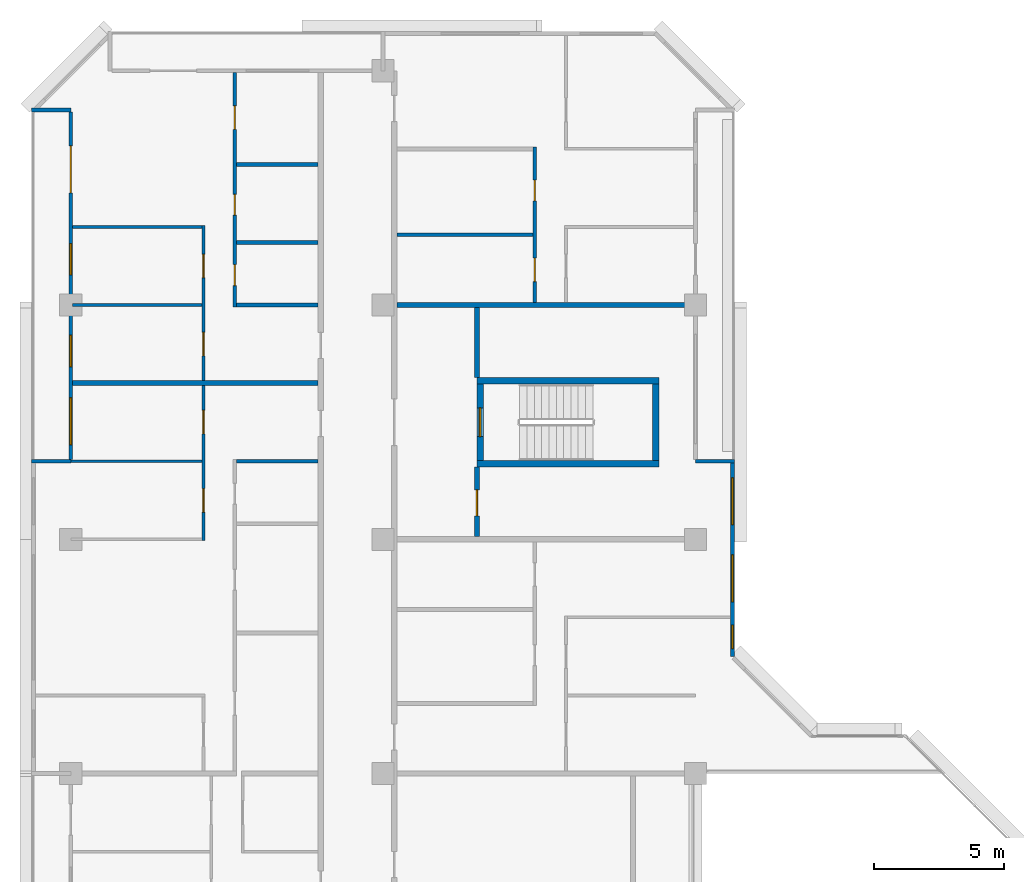
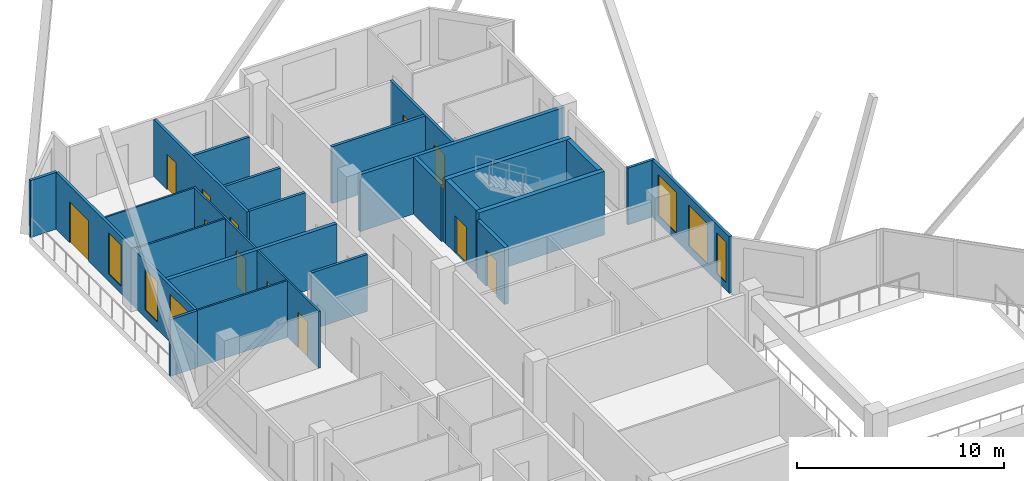
# One storey, part 10 of 14: 25 walls, 12 doors, 6 windows, 18 openings.
"""IFC4 building model written with IfcOpenShell, lengths in metres."""

from ifc_helpers import new_model, si_unit, direction, frame, frame_2d, origin, place, context, subcontext, project, spatial, rectangle, extrude, material, layer, layer_set, type_object, element, fill, save


model = new_model("IFC4")

# Units and contexts
model_context = context("Model", 3, precision=1e-05, world=origin(), true_north=direction((0.0, 1.0)))
body_context = subcontext(model_context, "Body", "Model", "MODEL_VIEW")
ifc_project = project(units=[si_unit("LENGTHUNIT", "METRE"), si_unit("AREAUNIT", "SQUARE_METRE"), si_unit("VOLUMEUNIT", "CUBIC_METRE"), si_unit("PLANEANGLEUNIT", "RADIAN"), si_unit("MASSUNIT", "GRAM", prefix="KILO")], contexts=[model_context])

# Site, building, storey
site_placement = place(None, origin())
site = spatial("IfcSite", under=ifc_project, at=site_placement, CompositionType="ELEMENT")
building_placement = place(site_placement, origin())
building = spatial("IfcBuilding", under=site, at=building_placement, Name="Chenar Terraces", CompositionType="ELEMENT")
storey_placement = place(building_placement, frame((0.0, 0.0, 234.14990234375)))
storey = spatial("IfcBuildingStorey", under=building, at=storey_placement, Name="L55", CompositionType="ELEMENT", Elevation=234.14990234375)

# Walls
ifc_material_1 = material(Name="Concrete C60/75", Category="concrete")
ifc_layer_1 = layer(ifc_material_1, 0.25)
ifc_layer_set_1 = layer_set([ifc_layer_1], Name="Concrete C60/75")
wall_type_1 = type_object("IfcWallType", Name="Core wall 250 Concrete C60/75", PredefinedType="SHEAR", material=ifc_layer_set_1)
for number, where, z_axis, x_axis, name in (
    (1, (15.60009765625, 47.89990234375, 0.0), (0.0, 0.0, 1.0), (1.0, 0.0, 0.0), "Core wall ST4_S L55"),
    (2, (15.60009765625, 51.10009765625, 0.0), (0.0, 0.0, 1.0), (1.0, 0.0, 0.0), "Core wall ST4_N L55"),
):
    element("IfcWall", number, at=place(storey_placement, frame(where, z_axis=z_axis, x_axis=x_axis)), inside=storey, type_object=wall_type_1, Name=name, PredefinedType="SHEAR", context=body_context, shape_type="SweptSolid", body=[
        extrude(rectangle(XDim=7.0, YDim=0.25, at=frame_2d((3.5, 0.0))), origin(), (0.0, 0.0, 1.0), 3.75),
    ])

# Wall, opening, door
wall_1_placement = place(storey_placement, frame((15.72509765625, 48.02490234375, 0.0), z_axis=(0.0, 0.0, 1.0), x_axis=(0.0, 1.0, 0.0)))
wall_1 = element("IfcWall", 3, at=wall_1_placement, inside=storey, type_object=wall_type_1, Name="Core wall ST4_W L55", PredefinedType="SHEAR", context=body_context, shape_type="SweptSolid", body=[
    extrude(rectangle(XDim=2.9501953125, YDim=0.25, at=frame_2d((1.47509765625, 0.0))), origin(), (0.0, 0.0, 1.0), 3.75),
])
opening_1_placement = place(wall_1_placement, frame((0.925048828125, 0.0, 0.0)))
opening_1 = element("IfcOpeningElement", 4, at=opening_1_placement, cuts=wall_1, Name="Opening DL55-C9", PredefinedType="OPENING", context=body_context, shape_type="SweptSolid", body=[
    extrude(rectangle(XDim=1.10009765625, YDim=2.199951171875, at=frame_2d((0.550048828125, 1.10009765625))), frame((0.0, 0.135009765625, 0.0), z_axis=(0.0, -1.0, 0.0), x_axis=(1.0, 0.0, 0.0)), (0.0, 0.0, 1.0), 0.27001953125),
])
ifc_material_2 = material(Name="Steel-framed fire-resisting door leaf", Category="steel")
door_type_1 = type_object("IfcDoorType", Name="Stair fire door FD60 1100 x 2200", OperationType="SINGLE_SWING_LEFT", PredefinedType="DOOR", material=ifc_material_2)
door_1_placement = place(opening_1_placement, frame((1.10009765625, 0.0, 0.0), z_axis=(0.0, 0.0, 1.0), x_axis=(-1.0, 0.0, 0.0)))
door_1 = element("IfcDoor", 5, at=door_1_placement, inside=storey, type_object=door_type_1, Name="Stair door DL55-C9", OperationType="SINGLE_SWING_RIGHT", OverallHeight=2.199951171875, OverallWidth=1.10009765625, PredefinedType="DOOR", context=body_context, shape_type="SweptSolid", body=[
    extrude(rectangle(XDim=1.10009765625, YDim=2.199951171875, at=frame_2d((0.550048828125, 1.10009765625))), frame((0.0, 0.02490234375, 0.0), z_axis=(0.0, -1.0, 0.0), x_axis=(1.0, 0.0, 0.0)), (0.0, 0.0, 1.0), 0.050048828125),
])
fill(opening_1, door_1)

# Wall
wall_2_placement = place(storey_placement, frame((22.47509765625, 48.02490234375, 0.0), z_axis=(0.0, 0.0, 1.0), x_axis=(0.0, 1.0, 0.0)))
element("IfcWall", 6, at=wall_2_placement, inside=storey, type_object=wall_type_1, Name="Core wall ST4_E L55", PredefinedType="SHEAR", context=body_context, shape_type="SweptSolid", body=[
    extrude(rectangle(XDim=2.9501953125, YDim=0.25, at=frame_2d((1.47509765625, 0.0))), origin(), (0.0, 0.0, 1.0), 3.75),
])

# Wall, opening, door
ifc_material_3 = material(Name="Gypsum board on steel studs with fire boards", Category="steel")
ifc_layer_2 = layer(ifc_material_3, 0.199951171875)
ifc_layer_set_2 = layer_set([ifc_layer_2], Name="Gypsum board on steel studs with fire boards")
wall_type_2 = type_object("IfcWallType", Name="Corridor wall 200", PredefinedType="PARTITIONING", material=ifc_layer_set_2)
wall_3_placement = place(storey_placement, frame((15.60009765625, 45.10009765625, 0.0), z_axis=(0.0, 0.0, 1.0), x_axis=(0.0, 1.0, 0.0)))
wall_3 = element("IfcWall", 7, at=wall_3_placement, inside=storey, type_object=wall_type_2, Name="Partition L55-047", PredefinedType="PARTITIONING", context=body_context, shape_type="SweptSolid", body=[
    extrude(rectangle(XDim=2.6748046875, YDim=0.199951171875, at=frame_2d((1.33740234375, 0.0))), origin(), (0.0, 0.0, 1.0), 3.35009765625),
])
opening_2_placement = place(wall_3_placement, frame((0.800048828125, 0.0, 0.0)))
opening_2 = element("IfcOpeningElement", 8, at=opening_2_placement, cuts=wall_3, Name="Opening DL55-41", PredefinedType="OPENING", context=body_context, shape_type="SweptSolid", body=[
    extrude(rectangle(XDim=1.0, YDim=2.10009765625, at=frame_2d((0.5, 1.050048828125))), frame((0.0, 0.10986328125, 0.0), z_axis=(0.0, -1.0, 0.0), x_axis=(1.0, 0.0, 0.0)), (0.0, 0.0, 1.0), 0.219970703125),
])
ifc_material_4 = material(Name="Steel-framed fire-resisting door leaf", Category="steel")
door_type_2 = type_object("IfcDoorType", Name="Fire door FD60 1000 x 2100", OperationType="SINGLE_SWING_LEFT", PredefinedType="DOOR", material=ifc_material_4)
door_2_placement = place(opening_2_placement, frame((1.0, 0.0, 0.0), z_axis=(0.0, 0.0, 1.0), x_axis=(-1.0, 0.0, 0.0)))
door_2 = element("IfcDoor", 9, at=door_2_placement, inside=storey, type_object=door_type_2, Name="Door DL55-41", OperationType="SINGLE_SWING_RIGHT", OverallHeight=2.10009765625, OverallWidth=1.0, PredefinedType="DOOR", context=body_context, shape_type="SweptSolid", body=[
    extrude(rectangle(XDim=1.0, YDim=2.10009765625, at=frame_2d((0.5, 1.050048828125))), frame((0.0, 0.02490234375, 0.0), z_axis=(0.0, -1.0, 0.0), x_axis=(1.0, 0.0, 0.0)), (0.0, 0.0, 1.0), 0.050048828125),
])
fill(opening_2, door_2)

# Wall
wall_4_placement = place(storey_placement, frame((15.60009765625, 51.22509765625, 0.0), z_axis=(0.0, 0.0, 1.0), x_axis=(0.0, 1.0, 0.0)))
element("IfcWall", 10, at=wall_4_placement, inside=storey, type_object=wall_type_2, Name="Partition L55-048", PredefinedType="PARTITIONING", context=body_context, shape_type="SweptSolid", body=[
    extrude(rectangle(XDim=2.6748046875, YDim=0.199951171875, at=frame_2d((1.33740234375, 0.0))), origin(), (0.0, 0.0, 1.0), 3.35009765625),
])

# Wall, openings, windows
ifc_material_5 = material(Name="Aluminium framed glazing", Category="aluminium")
ifc_layer_3 = layer(ifc_material_5, 0.14990234375)
ifc_layer_set_3 = layer_set([ifc_layer_3], Name="Aluminium framed glazing")
wall_type_3 = type_object("IfcWallType", Name="Glazed flush facade wall 150", PredefinedType="SOLIDWALL", material=ifc_layer_set_3)
wall_5_placement = place(storey_placement, frame((25.425048828125, 40.5, 0.0), z_axis=(0.0, 0.0, 1.0), x_axis=(0.0, 1.0, 0.0)))
wall_5 = element("IfcWall", 11, at=wall_5_placement, inside=storey, type_object=wall_type_3, Name="Glazed flush facade wall", PredefinedType="SOLIDWALL", context=body_context, shape_type="SweptSolid", body=[
    extrude(rectangle(XDim=7.425048828125, YDim=0.14990234375, at=frame_2d((3.71240234375, 0.0))), origin(), (0.0, 0.0, 1.0), 3.35009765625),
])
opening_3_placement = place(wall_5_placement, frame((0.300048828125, 0.0, 0.449951171875)))
opening_3 = element("IfcOpeningElement", 12, at=opening_3_placement, cuts=wall_5, Name="Opening W90x240", PredefinedType="OPENING", context=body_context, shape_type="SweptSolid", body=[
    extrude(rectangle(XDim=0.89990234375, YDim=2.39990234375, at=frame_2d((0.449951171875, 1.199951171875))), frame((0.0, 0.0849609375, 0.0), z_axis=(0.0, -1.0, 0.0), x_axis=(1.0, 0.0, 0.0)), (0.0, 0.0, 1.0), 0.169921875),
])
opening_4_placement = place(wall_5_placement, frame((2.10009765625, 0.0, 0.449951171875)))
opening_4 = element("IfcOpeningElement", 13, at=opening_4_placement, cuts=wall_5, Name="Opening W180x240", PredefinedType="OPENING", context=body_context, shape_type="SweptSolid", body=[
    extrude(rectangle(XDim=1.800048828125, YDim=2.39990234375, at=frame_2d((0.89990234375, 1.199951171875))), frame((0.0, 0.0849609375, 0.0), z_axis=(0.0, -1.0, 0.0), x_axis=(1.0, 0.0, 0.0)), (0.0, 0.0, 1.0), 0.169921875),
])
opening_5_placement = place(wall_5_placement, frame((5.0625, 0.0, 0.449951171875)))
opening_5 = element("IfcOpeningElement", 14, at=opening_5_placement, cuts=wall_5, Name="Opening W180x240", PredefinedType="OPENING", context=body_context, shape_type="SweptSolid", body=[
    extrude(rectangle(XDim=1.800048828125, YDim=2.39990234375, at=frame_2d((0.89990234375, 1.199951171875))), frame((0.0, 0.0849609375, 0.0), z_axis=(0.0, -1.0, 0.0), x_axis=(1.0, 0.0, 0.0)), (0.0, 0.0, 1.0), 0.169921875),
])
ifc_material_6 = material(Name="Low emissivity double glazing, aluminium frame", Category="aluminium")
window_type_1 = type_object("IfcWindowType", Name="Fixed light 1800 x 2400", PartitioningType="SINGLE_PANEL", PredefinedType="WINDOW", material=ifc_material_6)
window_1_placement = place(opening_4_placement, origin())
window_1 = element("IfcWindow", 15, at=window_1_placement, inside=storey, type_object=window_type_1, Name="Window", OverallHeight=2.39990234375, OverallWidth=1.800048828125, PartitioningType="SINGLE_PANEL", PredefinedType="WINDOW", context=body_context, shape_type="SweptSolid", body=[
    extrude(rectangle(XDim=1.800048828125, YDim=2.39990234375, at=frame_2d((0.89990234375, 1.199951171875))), frame((0.0, 0.030029296875, 0.0), z_axis=(0.0, -1.0, 0.0), x_axis=(1.0, 0.0, 0.0)), (0.0, 0.0, 1.0), 0.06005859375),
])
fill(opening_4, window_1)
window_2_placement = place(opening_5_placement, origin())
window_2 = element("IfcWindow", 16, at=window_2_placement, inside=storey, type_object=window_type_1, Name="Window", OverallHeight=2.39990234375, OverallWidth=1.800048828125, PartitioningType="SINGLE_PANEL", PredefinedType="WINDOW", context=body_context, shape_type="SweptSolid", body=[
    extrude(rectangle(XDim=1.800048828125, YDim=2.39990234375, at=frame_2d((0.89990234375, 1.199951171875))), frame((0.0, 0.030029296875, 0.0), z_axis=(0.0, -1.0, 0.0), x_axis=(1.0, 0.0, 0.0)), (0.0, 0.0, 1.0), 0.06005859375),
])
fill(opening_5, window_2)
ifc_material_7 = material(Name="Low emissivity double glazing, aluminium frame", Category="aluminium")
window_type_2 = type_object("IfcWindowType", Name="Fixed light 900 x 2400", PartitioningType="SINGLE_PANEL", PredefinedType="WINDOW", material=ifc_material_7)
window_3_placement = place(opening_3_placement, origin())
window_3 = element("IfcWindow", 17, at=window_3_placement, inside=storey, type_object=window_type_2, Name="Window", OverallHeight=2.39990234375, OverallWidth=0.89990234375, PartitioningType="SINGLE_PANEL", PredefinedType="WINDOW", context=body_context, shape_type="SweptSolid", body=[
    extrude(rectangle(XDim=0.89990234375, YDim=2.39990234375, at=frame_2d((0.449951171875, 1.199951171875))), frame((0.0, 0.030029296875, 0.0), z_axis=(0.0, -1.0, 0.0), x_axis=(1.0, 0.0, 0.0)), (0.0, 0.0, 1.0), 0.06005859375),
])
fill(opening_3, window_3)

# Wall, openings, windows, door
ifc_material_8 = material(Name="Aluminium framed glazing", Category="aluminium")
ifc_layer_4 = layer(ifc_material_8, 0.14990234375)
ifc_layer_set_4 = layer_set([ifc_layer_4], Name="Aluminium framed glazing")
wall_type_4 = type_object("IfcWallType", Name="Glazed loggia back wall 150", PredefinedType="SOLIDWALL", material=ifc_layer_set_4)
wall_6_placement = place(storey_placement, frame((0.0, 61.425048828125, 0.0), z_axis=(0.0, 0.0, 1.0), x_axis=(0.0, -1.0, 0.0)))
wall_6 = element("IfcWall", 18, at=wall_6_placement, inside=storey, type_object=wall_type_4, Name="Glazed loggia back wall", PredefinedType="SOLIDWALL", context=body_context, shape_type="SweptSolid", body=[
    extrude(rectangle(XDim=13.35009765625, YDim=0.14990234375, at=frame_2d((6.675048828125, 0.0))), origin(), (0.0, 0.0, 1.0), 3.35009765625),
])
opening_6_placement = place(wall_6_placement, frame((1.3125, 0.0, 0.0)))
opening_6 = element("IfcOpeningElement", 19, at=opening_6_placement, cuts=wall_6, Name="Opening DL55-G4", PredefinedType="OPENING", context=body_context, shape_type="SweptSolid", body=[
    extrude(rectangle(XDim=1.800048828125, YDim=2.39990234375, at=frame_2d((0.89990234375, 1.199951171875))), frame((0.0, 0.0849609375, 0.0), z_axis=(0.0, -1.0, 0.0), x_axis=(1.0, 0.0, 0.0)), (0.0, 0.0, 1.0), 0.169921875),
])
opening_7_placement = place(wall_6_placement, frame((5.0625, 0.0, 0.449951171875)))
opening_7 = element("IfcOpeningElement", 20, at=opening_7_placement, cuts=wall_6, Name="Opening W120x240", PredefinedType="OPENING", context=body_context, shape_type="SweptSolid", body=[
    extrude(rectangle(XDim=1.199951171875, YDim=2.39990234375, at=frame_2d((0.60009765625, 1.199951171875))), frame((0.0, 0.0849609375, 0.0), z_axis=(0.0, -1.0, 0.0), x_axis=(1.0, 0.0, 0.0)), (0.0, 0.0, 1.0), 0.169921875),
])
opening_8_placement = place(wall_6_placement, frame((8.58740234375, 0.0, 0.449951171875)))
opening_8 = element("IfcOpeningElement", 21, at=opening_8_placement, cuts=wall_6, Name="Opening W120x240", PredefinedType="OPENING", context=body_context, shape_type="SweptSolid", body=[
    extrude(rectangle(XDim=1.199951171875, YDim=2.39990234375, at=frame_2d((0.60009765625, 1.199951171875))), frame((0.0, 0.0849609375, 0.0), z_axis=(0.0, -1.0, 0.0), x_axis=(1.0, 0.0, 0.0)), (0.0, 0.0, 1.0), 0.169921875),
])
opening_9_placement = place(wall_6_placement, frame((10.987548828125, 0.0, 0.449951171875)))
opening_9 = element("IfcOpeningElement", 22, at=opening_9_placement, cuts=wall_6, Name="Opening W180x240", PredefinedType="OPENING", context=body_context, shape_type="SweptSolid", body=[
    extrude(rectangle(XDim=1.800048828125, YDim=2.39990234375, at=frame_2d((0.89990234375, 1.199951171875))), frame((0.0, 0.0849609375, 0.0), z_axis=(0.0, -1.0, 0.0), x_axis=(1.0, 0.0, 0.0)), (0.0, 0.0, 1.0), 0.169921875),
])
ifc_material_9 = material(Name="Low emissivity double glazing, aluminium frame", Category="aluminium")
window_type_3 = type_object("IfcWindowType", Name="Fixed light 1200 x 2400", PartitioningType="SINGLE_PANEL", PredefinedType="WINDOW", material=ifc_material_9)
window_4_placement = place(opening_7_placement, origin())
window_4 = element("IfcWindow", 23, at=window_4_placement, inside=storey, type_object=window_type_3, Name="Window", OverallHeight=2.39990234375, OverallWidth=1.199951171875, PartitioningType="SINGLE_PANEL", PredefinedType="WINDOW", context=body_context, shape_type="SweptSolid", body=[
    extrude(rectangle(XDim=1.199951171875, YDim=2.39990234375, at=frame_2d((0.60009765625, 1.199951171875))), frame((0.0, 0.030029296875, 0.0), z_axis=(0.0, -1.0, 0.0), x_axis=(1.0, 0.0, 0.0)), (0.0, 0.0, 1.0), 0.06005859375),
])
fill(opening_7, window_4)
window_5_placement = place(opening_8_placement, origin())
window_5 = element("IfcWindow", 24, at=window_5_placement, inside=storey, type_object=window_type_3, Name="Window", OverallHeight=2.39990234375, OverallWidth=1.199951171875, PartitioningType="SINGLE_PANEL", PredefinedType="WINDOW", context=body_context, shape_type="SweptSolid", body=[
    extrude(rectangle(XDim=1.199951171875, YDim=2.39990234375, at=frame_2d((0.60009765625, 1.199951171875))), frame((0.0, 0.030029296875, 0.0), z_axis=(0.0, -1.0, 0.0), x_axis=(1.0, 0.0, 0.0)), (0.0, 0.0, 1.0), 0.06005859375),
])
fill(opening_8, window_5)
window_6_placement = place(opening_9_placement, origin())
window_6 = element("IfcWindow", 25, at=window_6_placement, inside=storey, type_object=window_type_1, Name="Window", OverallHeight=2.39990234375, OverallWidth=1.800048828125, PartitioningType="SINGLE_PANEL", PredefinedType="WINDOW", context=body_context, shape_type="SweptSolid", body=[
    extrude(rectangle(XDim=1.800048828125, YDim=2.39990234375, at=frame_2d((0.89990234375, 1.199951171875))), frame((0.0, 0.030029296875, 0.0), z_axis=(0.0, -1.0, 0.0), x_axis=(1.0, 0.0, 0.0)), (0.0, 0.0, 1.0), 0.06005859375),
])
fill(opening_9, window_6)
ifc_material_10 = material(Name="Low emissivity double glazing, aluminium frame", Category="aluminium")
door_type_3 = type_object("IfcDoorType", Name="Loggia glazed double door 1800 x 2400", OperationType="DOUBLE_DOOR_SINGLE_SWING", PredefinedType="DOOR", material=ifc_material_10)
door_3_placement = place(opening_6_placement, frame((1.800048828125, 0.0, 0.0), z_axis=(0.0, 0.0, 1.0), x_axis=(-1.0, 0.0, 0.0)))
door_3 = element("IfcDoor", 26, at=door_3_placement, inside=storey, type_object=door_type_3, Name="Loggia glazed door", OperationType="DOUBLE_DOOR_SINGLE_SWING", OverallHeight=2.39990234375, OverallWidth=1.800048828125, PredefinedType="DOOR", context=body_context, shape_type="SweptSolid", body=[
    extrude(rectangle(XDim=1.800048828125, YDim=2.39990234375, at=frame_2d((0.89990234375, 1.199951171875))), frame((0.0, 0.02490234375, 0.0), z_axis=(0.0, -1.0, 0.0), x_axis=(1.0, 0.0, 0.0)), (0.0, 0.0, 1.0), 0.050048828125),
])
fill(opening_6, door_3)

# Walls
ifc_material_11 = material(Name="Gypsum board on steel studs", Category="steel")
ifc_layer_5 = layer(ifc_material_11, 0.10009765625)
ifc_layer_set_5 = layer_set([ifc_layer_5], Name="Gypsum board on steel studs")
wall_type_5 = type_object("IfcWallType", Name="Gypsum partition 100", PredefinedType="PARTITIONING", material=ifc_layer_set_5)
wall_7_placement = place(storey_placement, frame((0.0, 48.0, 0.0), z_axis=(0.0, 0.0, 1.0), x_axis=(1.0, 0.0, 0.0)))
element("IfcWall", 27, at=wall_7_placement, inside=storey, type_object=wall_type_5, Name="Partition L55-006", PredefinedType="PARTITIONING", context=body_context, shape_type="SweptSolid", body=[
    extrude(rectangle(XDim=5.050048828125, YDim=0.10009765625, at=frame_2d((2.52490234375, 0.0))), origin(), (0.0, 0.0, 1.0), 3.35009765625),
])
for number, where, z_axis, x_axis, name in (
    (28, (0.073974609375, 54.0, 0.0), (0.0, 0.0, 1.0), (1.0, 0.0, 0.0), "Partition L55-010"),
    (29, (0.073974609375, 57.0, 0.0), (0.0, 0.0, 1.0), (1.0, 0.0, 0.0), "Partition L55-011"),
):
    element("IfcWall", number, at=place(storey_placement, frame(where, z_axis=z_axis, x_axis=x_axis)), inside=storey, type_object=wall_type_5, Name=name, PredefinedType="PARTITIONING", context=body_context, shape_type="SweptSolid", body=[
        extrude(rectangle(XDim=4.97607421875, YDim=0.10009765625, at=frame_2d((2.488037109375, 0.0))), origin(), (0.0, 0.0, 1.0), 3.35009765625),
    ])

# Wall, openings, doors
wall_8_placement = place(storey_placement, frame((5.10009765625, 44.949951171875, 0.0), z_axis=(0.0, 0.0, 1.0), x_axis=(0.0, 1.0, 0.0)))
wall_8 = element("IfcWall", 30, at=wall_8_placement, inside=storey, type_object=wall_type_5, Name="Partition L55-014", PredefinedType="PARTITIONING", context=body_context, shape_type="SweptSolid", body=[
    extrude(rectangle(XDim=5.949951171875, YDim=0.10009765625, at=frame_2d((2.97509765625, 0.0))), origin(), (0.0, 0.0, 1.0), 3.35009765625),
])
opening_10_placement = place(wall_8_placement, frame((1.10009765625, 0.0, 0.0)))
opening_10 = element("IfcOpeningElement", 31, at=opening_10_placement, cuts=wall_8, Name="Opening DL55-25", PredefinedType="OPENING", context=body_context, shape_type="SweptSolid", body=[
    extrude(rectangle(XDim=0.89990234375, YDim=2.10009765625, at=frame_2d((0.449951171875, 1.050048828125))), frame((0.0, 0.06005859375, 0.0), z_axis=(0.0, -1.0, 0.0), x_axis=(1.0, 0.0, 0.0)), (0.0, 0.0, 1.0), 0.1201171875),
])
opening_11_placement = place(wall_8_placement, frame((4.10009765625, 0.0, 0.0)))
opening_11 = element("IfcOpeningElement", 32, at=opening_11_placement, cuts=wall_8, Name="Opening DL55-26", PredefinedType="OPENING", context=body_context, shape_type="SweptSolid", body=[
    extrude(rectangle(XDim=0.89990234375, YDim=2.10009765625, at=frame_2d((0.449951171875, 1.050048828125))), frame((0.0, 0.06005859375, 0.0), z_axis=(0.0, -1.0, 0.0), x_axis=(1.0, 0.0, 0.0)), (0.0, 0.0, 1.0), 0.1201171875),
])
ifc_material_12 = material(Name="Veneered timber door leaf", Category="wood")
door_type_4 = type_object("IfcDoorType", Name="Door 900 x 2100", OperationType="SINGLE_SWING_LEFT", PredefinedType="DOOR", material=ifc_material_12)
door_4_placement = place(opening_10_placement, origin())
door_4 = element("IfcDoor", 33, at=door_4_placement, inside=storey, type_object=door_type_4, Name="Door DL55-25", OperationType="SINGLE_SWING_LEFT", OverallHeight=2.10009765625, OverallWidth=0.89990234375, PredefinedType="DOOR", context=body_context, shape_type="SweptSolid", body=[
    extrude(rectangle(XDim=0.89990234375, YDim=2.10009765625, at=frame_2d((0.449951171875, 1.050048828125))), frame((0.0, 0.02490234375, 0.0), z_axis=(0.0, -1.0, 0.0), x_axis=(1.0, 0.0, 0.0)), (0.0, 0.0, 1.0), 0.050048828125),
])
fill(opening_10, door_4)
door_5_placement = place(opening_11_placement, origin())
door_5 = element("IfcDoor", 34, at=door_5_placement, inside=storey, type_object=door_type_4, Name="Door DL55-26", OperationType="SINGLE_SWING_RIGHT", OverallHeight=2.10009765625, OverallWidth=0.89990234375, PredefinedType="DOOR", context=body_context, shape_type="SweptSolid", body=[
    extrude(rectangle(XDim=0.89990234375, YDim=2.10009765625, at=frame_2d((0.449951171875, 1.050048828125))), frame((0.0, 0.02490234375, 0.0), z_axis=(0.0, -1.0, 0.0), x_axis=(1.0, 0.0, 0.0)), (0.0, 0.0, 1.0), 0.050048828125),
])
fill(opening_11, door_5)

wall_9_placement = place(storey_placement, frame((5.10009765625, 51.10009765625, 0.0), z_axis=(0.0, 0.0, 1.0), x_axis=(0.0, 1.0, 0.0)))
wall_9 = element("IfcWall", 35, at=wall_9_placement, inside=storey, type_object=wall_type_5, Name="Partition L55-015", PredefinedType="PARTITIONING", context=body_context, shape_type="SweptSolid", body=[
    extrude(rectangle(XDim=5.949951171875, YDim=0.10009765625, at=frame_2d((2.97509765625, 0.0))), origin(), (0.0, 0.0, 1.0), 3.35009765625),
])
opening_12_placement = place(wall_9_placement, frame((0.949951171875, 0.0, 0.0)))
opening_12 = element("IfcOpeningElement", 36, at=opening_12_placement, cuts=wall_9, Name="Opening DL55-31", PredefinedType="OPENING", context=body_context, shape_type="SweptSolid", body=[
    extrude(rectangle(XDim=0.89990234375, YDim=2.10009765625, at=frame_2d((0.449951171875, 1.050048828125))), frame((0.0, 0.06005859375, 0.0), z_axis=(0.0, -1.0, 0.0), x_axis=(1.0, 0.0, 0.0)), (0.0, 0.0, 1.0), 0.1201171875),
])
opening_13_placement = place(wall_9_placement, frame((3.949951171875, 0.0, 0.0)))
opening_13 = element("IfcOpeningElement", 37, at=opening_13_placement, cuts=wall_9, Name="Opening DL55-32", PredefinedType="OPENING", context=body_context, shape_type="SweptSolid", body=[
    extrude(rectangle(XDim=0.89990234375, YDim=2.10009765625, at=frame_2d((0.449951171875, 1.050048828125))), frame((0.0, 0.06005859375, 0.0), z_axis=(0.0, -1.0, 0.0), x_axis=(1.0, 0.0, 0.0)), (0.0, 0.0, 1.0), 0.1201171875),
])
door_6_placement = place(opening_12_placement, origin())
door_6 = element("IfcDoor", 38, at=door_6_placement, inside=storey, type_object=door_type_4, Name="Door DL55-31", OperationType="SINGLE_SWING_RIGHT", OverallHeight=2.10009765625, OverallWidth=0.89990234375, PredefinedType="DOOR", context=body_context, shape_type="SweptSolid", body=[
    extrude(rectangle(XDim=0.89990234375, YDim=2.10009765625, at=frame_2d((0.449951171875, 1.050048828125))), frame((0.0, 0.02490234375, 0.0), z_axis=(0.0, -1.0, 0.0), x_axis=(1.0, 0.0, 0.0)), (0.0, 0.0, 1.0), 0.050048828125),
])
fill(opening_12, door_6)
door_7_placement = place(opening_13_placement, origin())
door_7 = element("IfcDoor", 39, at=door_7_placement, inside=storey, type_object=door_type_4, Name="Door DL55-32", OperationType="SINGLE_SWING_RIGHT", OverallHeight=2.10009765625, OverallWidth=0.89990234375, PredefinedType="DOOR", context=body_context, shape_type="SweptSolid", body=[
    extrude(rectangle(XDim=0.89990234375, YDim=2.10009765625, at=frame_2d((0.449951171875, 1.050048828125))), frame((0.0, 0.02490234375, 0.0), z_axis=(0.0, -1.0, 0.0), x_axis=(1.0, 0.0, 0.0)), (0.0, 0.0, 1.0), 0.050048828125),
])
fill(opening_13, door_7)

# Walls
ifc_material_13 = material(Name="Terracotta cladding on insulated backing", Category="masonry")
ifc_layer_6 = layer(ifc_material_13, 0.14990234375)
ifc_layer_set_6 = layer_set([ifc_layer_6], Name="Terracotta cladding on insulated backing")
wall_type_6 = type_object("IfcWallType", Name="Loggia return wall 150", PredefinedType="SOLIDWALL", material=ifc_layer_set_6)
for number, where, z_axis, x_axis, name in (
    (40, (25.5, 48.0, 0.0), (0.0, 0.0, 1.0), (-1.0, 0.0, 0.0), "Loggia return wall"),
    (41, (-1.5, 61.5, 0.0), (0.0, 0.0, 1.0), (1.0, 0.0, 0.0), "Loggia return wall"),
    (42, (-1.5, 48.0, 0.0), (0.0, 0.0, 1.0), (1.0, 0.0, 0.0), "Loggia return wall"),
):
    element("IfcWall", number, at=place(storey_placement, frame(where, z_axis=z_axis, x_axis=x_axis)), inside=storey, type_object=wall_type_6, Name=name, PredefinedType="SOLIDWALL", context=body_context, shape_type="SweptSolid", body=[
        extrude(rectangle(XDim=1.5, YDim=0.14990234375, at=frame_2d((0.75, 0.0))), origin(), (0.0, 0.0, 1.0), 3.35009765625),
    ])
ifc_material_14 = material(Name="Twin gypsum board on steel studs with mineral wool", Category="steel")
ifc_layer_7 = layer(ifc_material_14, 0.199951171875)
ifc_layer_set_7 = layer_set([ifc_layer_7], Name="Twin gypsum board on steel studs with mineral wool")
wall_type_7 = type_object("IfcWallType", Name="Unit demising wall 200", PredefinedType="PARTITIONING", material=ifc_layer_set_7)
wall_10_placement = place(storey_placement, frame((0.073974609375, 51.0, 0.0), z_axis=(0.0, 0.0, 1.0), x_axis=(1.0, 0.0, 0.0)))
element("IfcWall", 43, at=wall_10_placement, inside=storey, type_object=wall_type_7, Name="Partition L55-009", PredefinedType="PARTITIONING", context=body_context, shape_type="SweptSolid", body=[
    extrude(rectangle(XDim=9.426025390625, YDim=0.199951171875, at=frame_2d((4.712890625, 0.0))), origin(), (0.0, 0.0, 1.0), 3.35009765625),
])
wall_11_placement = place(storey_placement, frame((12.52490234375, 54.0, 0.0), z_axis=(0.0, 0.0, 1.0), x_axis=(1.0, 0.0, 0.0)))
element("IfcWall", 44, at=wall_11_placement, inside=storey, type_object=wall_type_7, Name="Partition L55-043", PredefinedType="PARTITIONING", context=body_context, shape_type="SweptSolid", body=[
    extrude(rectangle(XDim=11.401123046875, YDim=0.199951171875, at=frame_2d((5.70068359375, 0.0))), origin(), (0.0, 0.0, 1.0), 3.35009765625),
])

# Wall, openings, doors
ifc_material_15 = material(Name="Moisture-resistant gypsum board on steel studs", Category="steel")
ifc_layer_8 = layer(ifc_material_15, 0.14990234375)
ifc_layer_set_8 = layer_set([ifc_layer_8], Name="Moisture-resistant gypsum board on steel studs")
wall_type_8 = type_object("IfcWallType", Name="Wet-room partition 150", PredefinedType="PARTITIONING", material=ifc_layer_set_8)
wall_12_placement = place(storey_placement, frame((6.300048828125, 53.925048828125, 0.0), z_axis=(0.0, 0.0, 1.0), x_axis=(0.0, 1.0, 0.0)))
wall_12 = element("IfcWall", 45, at=wall_12_placement, inside=storey, type_object=wall_type_8, Name="Partition L55-018", PredefinedType="PARTITIONING", context=body_context, shape_type="SweptSolid", body=[
    extrude(rectangle(XDim=9.0009765625, YDim=0.14990234375, at=frame_2d((4.50048828125, 0.0))), origin(), (0.0, 0.0, 1.0), 3.35009765625),
])
opening_14_placement = place(wall_12_placement, frame((3.52490234375, 0.0, 0.0)))
opening_14 = element("IfcOpeningElement", 46, at=opening_14_placement, cuts=wall_12, Name="Opening DL55-30", PredefinedType="OPENING", context=body_context, shape_type="SweptSolid", body=[
    extrude(rectangle(XDim=0.800048828125, YDim=2.10009765625, at=frame_2d((0.39990234375, 1.050048828125))), frame((0.0, 0.0849609375, 0.0), z_axis=(0.0, -1.0, 0.0), x_axis=(1.0, 0.0, 0.0)), (0.0, 0.0, 1.0), 0.169921875),
])
opening_15_placement = place(wall_12_placement, frame((6.824951171875, 0.0, 0.0)))
opening_15 = element("IfcOpeningElement", 47, at=opening_15_placement, cuts=wall_12, Name="Opening DL55-33", PredefinedType="OPENING", context=body_context, shape_type="SweptSolid", body=[
    extrude(rectangle(XDim=0.89990234375, YDim=2.10009765625, at=frame_2d((0.449951171875, 1.050048828125))), frame((0.0, 0.0849609375, 0.0), z_axis=(0.0, -1.0, 0.0), x_axis=(1.0, 0.0, 0.0)), (0.0, 0.0, 1.0), 0.169921875),
])
opening_16_placement = place(wall_12_placement, frame((0.824951171875, 0.0, 0.0)))
opening_16 = element("IfcOpeningElement", 48, at=opening_16_placement, cuts=wall_12, Name="Opening DL55-35", PredefinedType="OPENING", context=body_context, shape_type="SweptSolid", body=[
    extrude(rectangle(XDim=0.800048828125, YDim=2.10009765625, at=frame_2d((0.39990234375, 1.050048828125))), frame((0.0, 0.0849609375, 0.0), z_axis=(0.0, -1.0, 0.0), x_axis=(1.0, 0.0, 0.0)), (0.0, 0.0, 1.0), 0.169921875),
])
ifc_material_16 = material(Name="Veneered timber door leaf", Category="wood")
door_type_5 = type_object("IfcDoorType", Name="Door 800 x 2100", OperationType="SINGLE_SWING_LEFT", PredefinedType="DOOR", material=ifc_material_16)
door_8_placement = place(opening_14_placement, frame((0.800048828125, 0.0, 0.0), z_axis=(0.0, 0.0, 1.0), x_axis=(-1.0, 0.0, 0.0)))
door_8 = element("IfcDoor", 49, at=door_8_placement, inside=storey, type_object=door_type_5, Name="Door DL55-30", OperationType="SINGLE_SWING_RIGHT", OverallHeight=2.10009765625, OverallWidth=0.800048828125, PredefinedType="DOOR", context=body_context, shape_type="SweptSolid", body=[
    extrude(rectangle(XDim=0.800048828125, YDim=2.10009765625, at=frame_2d((0.39990234375, 1.050048828125))), frame((0.0, 0.02490234375, 0.0), z_axis=(0.0, -1.0, 0.0), x_axis=(1.0, 0.0, 0.0)), (0.0, 0.0, 1.0), 0.050048828125),
])
fill(opening_14, door_8)
door_9_placement = place(opening_16_placement, frame((0.800048828125, 0.0, 0.0), z_axis=(0.0, 0.0, 1.0), x_axis=(-1.0, 0.0, 0.0)))
door_9 = element("IfcDoor", 50, at=door_9_placement, inside=storey, type_object=door_type_5, Name="Door DL55-35", OperationType="SINGLE_SWING_RIGHT", OverallHeight=2.10009765625, OverallWidth=0.800048828125, PredefinedType="DOOR", context=body_context, shape_type="SweptSolid", body=[
    extrude(rectangle(XDim=0.800048828125, YDim=2.10009765625, at=frame_2d((0.39990234375, 1.050048828125))), frame((0.0, 0.02490234375, 0.0), z_axis=(0.0, -1.0, 0.0), x_axis=(1.0, 0.0, 0.0)), (0.0, 0.0, 1.0), 0.050048828125),
])
fill(opening_16, door_9)
door_10_placement = place(opening_15_placement, frame((0.89990234375, 0.0, 0.0), z_axis=(0.0, 0.0, 1.0), x_axis=(-1.0, 0.0, 0.0)))
door_10 = element("IfcDoor", 51, at=door_10_placement, inside=storey, type_object=door_type_4, Name="Door DL55-33", OperationType="SINGLE_SWING_LEFT", OverallHeight=2.10009765625, OverallWidth=0.89990234375, PredefinedType="DOOR", context=body_context, shape_type="SweptSolid", body=[
    extrude(rectangle(XDim=0.89990234375, YDim=2.10009765625, at=frame_2d((0.449951171875, 1.050048828125))), frame((0.0, 0.02490234375, 0.0), z_axis=(0.0, -1.0, 0.0), x_axis=(1.0, 0.0, 0.0)), (0.0, 0.0, 1.0), 0.050048828125),
])
fill(opening_15, door_10)

# Walls
for number, where, z_axis, x_axis, name in (
    (52, (6.375, 48.0, 0.0), (0.0, 0.0, 1.0), (1.0, 0.0, 0.0), "Partition L55-021"),
    (53, (6.375, 54.0, 0.0), (0.0, 0.0, 1.0), (1.0, 0.0, 0.0), "Partition L55-022"),
    (54, (6.375, 56.39990234375, 0.0), (0.0, 0.0, 1.0), (1.0, 0.0, 0.0), "Partition L55-023"),
    (55, (6.375, 59.39990234375, 0.0), (0.0, 0.0, 1.0), (1.0, 0.0, 0.0), "Partition L55-024"),
):
    element("IfcWall", number, at=place(storey_placement, frame(where, z_axis=z_axis, x_axis=x_axis)), inside=storey, type_object=wall_type_8, Name=name, PredefinedType="PARTITIONING", context=body_context, shape_type="SweptSolid", body=[
        extrude(rectangle(XDim=3.125, YDim=0.14990234375, at=frame_2d((1.5625, 0.0))), origin(), (0.0, 0.0, 1.0), 3.35009765625),
    ])
wall_13_placement = place(storey_placement, frame((12.52490234375, 56.699951171875, 0.0), z_axis=(0.0, 0.0, 1.0), x_axis=(1.0, 0.0, 0.0)))
element("IfcWall", 56, at=wall_13_placement, inside=storey, type_object=wall_type_8, Name="Partition L55-044", PredefinedType="PARTITIONING", context=body_context, shape_type="SweptSolid", body=[
    extrude(rectangle(XDim=5.22509765625, YDim=0.14990234375, at=frame_2d((2.612548828125, 0.0))), origin(), (0.0, 0.0, 1.0), 3.35009765625),
])

# Wall, openings, doors
wall_14_placement = place(storey_placement, frame((17.824951171875, 54.10009765625, 0.0), z_axis=(0.0, 0.0, 1.0), x_axis=(0.0, 1.0, 0.0)))
wall_14 = element("IfcWall", 57, at=wall_14_placement, inside=storey, type_object=wall_type_8, Name="Partition L55-050", PredefinedType="PARTITIONING", context=body_context, shape_type="SweptSolid", body=[
    extrude(rectangle(XDim=5.974853515625, YDim=0.14990234375, at=frame_2d((2.9873046875, 0.0))), origin(), (0.0, 0.0, 1.0), 3.35009765625),
])
opening_17_placement = place(wall_14_placement, frame((3.89990234375, 0.0, 0.0)))
opening_17 = element("IfcOpeningElement", 58, at=opening_17_placement, cuts=wall_14, Name="Opening DL55-18", PredefinedType="OPENING", context=body_context, shape_type="SweptSolid", body=[
    extrude(rectangle(XDim=0.800048828125, YDim=2.10009765625, at=frame_2d((0.39990234375, 1.050048828125))), frame((0.0, 0.0849609375, 0.0), z_axis=(0.0, -1.0, 0.0), x_axis=(1.0, 0.0, 0.0)), (0.0, 0.0, 1.0), 0.169921875),
])
opening_18_placement = place(wall_14_placement, frame((0.800048828125, 0.0, 0.0)))
opening_18 = element("IfcOpeningElement", 59, at=opening_18_placement, cuts=wall_14, Name="Opening DL55-21", PredefinedType="OPENING", context=body_context, shape_type="SweptSolid", body=[
    extrude(rectangle(XDim=0.89990234375, YDim=2.10009765625, at=frame_2d((0.449951171875, 1.050048828125))), frame((0.0, 0.0849609375, 0.0), z_axis=(0.0, -1.0, 0.0), x_axis=(1.0, 0.0, 0.0)), (0.0, 0.0, 1.0), 0.169921875),
])
door_11_placement = place(opening_17_placement, origin())
door_11 = element("IfcDoor", 60, at=door_11_placement, inside=storey, type_object=door_type_5, Name="Door DL55-18", OperationType="SINGLE_SWING_RIGHT", OverallHeight=2.10009765625, OverallWidth=0.800048828125, PredefinedType="DOOR", context=body_context, shape_type="SweptSolid", body=[
    extrude(rectangle(XDim=0.800048828125, YDim=2.10009765625, at=frame_2d((0.39990234375, 1.050048828125))), frame((0.0, 0.02490234375, 0.0), z_axis=(0.0, -1.0, 0.0), x_axis=(1.0, 0.0, 0.0)), (0.0, 0.0, 1.0), 0.050048828125),
])
fill(opening_17, door_11)
door_12_placement = place(opening_18_placement, origin())
door_12 = element("IfcDoor", 61, at=door_12_placement, inside=storey, type_object=door_type_4, Name="Door DL55-21", OperationType="SINGLE_SWING_RIGHT", OverallHeight=2.10009765625, OverallWidth=0.89990234375, PredefinedType="DOOR", context=body_context, shape_type="SweptSolid", body=[
    extrude(rectangle(XDim=0.89990234375, YDim=2.10009765625, at=frame_2d((0.449951171875, 1.050048828125))), frame((0.0, 0.02490234375, 0.0), z_axis=(0.0, -1.0, 0.0), x_axis=(1.0, 0.0, 0.0)), (0.0, 0.0, 1.0), 0.050048828125),
])
fill(opening_18, door_12)

save(model, "model.ifc")
